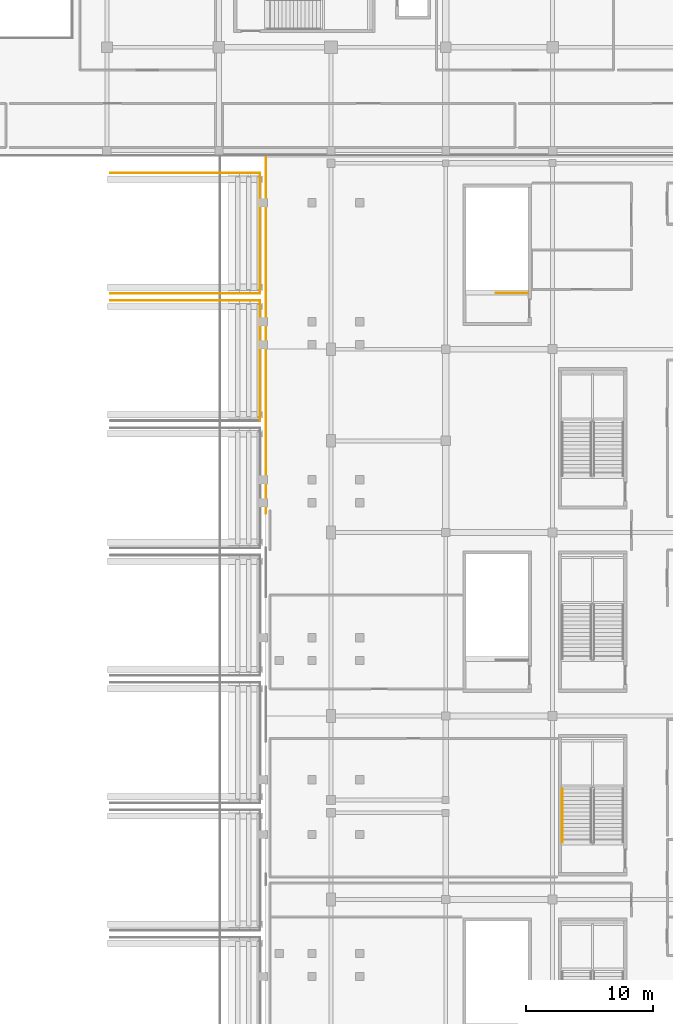
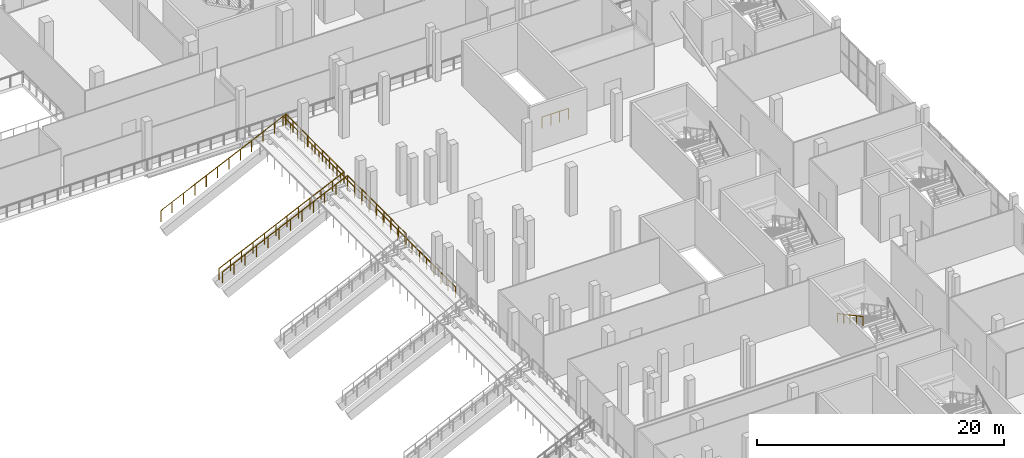
# One storey, part 120 of 129: 9 railings.
"""IFC4 building model written with IfcOpenShell, lengths in metres."""

from ifc_helpers import new_model, si_unit, direction, frame, origin, origin_2d, place, context, subcontext, project, spatial, circle, extrude, material, type_object, element, save


model = new_model("IFC4")

# Units and contexts
model_context = context("Model", 3, precision=1e-05, world=origin(), true_north=direction((0.0, 1.0)))
body_context = subcontext(model_context, "Body", "Model", "MODEL_VIEW")
ifc_project = project(units=[si_unit("LENGTHUNIT", "METRE"), si_unit("AREAUNIT", "SQUARE_METRE"), si_unit("VOLUMEUNIT", "CUBIC_METRE"), si_unit("PLANEANGLEUNIT", "RADIAN"), si_unit("MASSUNIT", "GRAM", prefix="KILO")], contexts=[model_context])

# Site, building, storey
site_placement = place(None, origin())
site = spatial("IfcSite", under=ifc_project, at=site_placement, CompositionType="ELEMENT")
building_placement = place(site_placement, origin())
building = spatial("IfcBuilding", under=site, at=building_placement, Name="Koshinbarg Plaza Stadium", CompositionType="ELEMENT")
storey_placement = place(building_placement, frame((0.0, 0.0, 5.39990234375)))
storey = spatial("IfcBuildingStorey", under=building, at=storey_placement, Name="L01", CompositionType="ELEMENT", Elevation=5.39990234375)

# Railings
ifc_material_1 = material(Name="Toughened laminated glass and stainless steel sightline balustrade", Category="steel")
railing_type_1 = type_object("IfcRailingType", Name="RL-BOWL-1100", PredefinedType="BALUSTRADE", material=ifc_material_1)
railing_1_placement = place(storey_placement, frame((175.280029296875, 99.01611328125, 0.0)))
element("IfcRailing", 1, at=railing_1_placement, inside=storey, type_object=railing_type_1, Name="L01 deck edge safety balustrade 0026", PredefinedType="BALUSTRADE", context=body_context, shape_type="SweptSolid", body=[
    extrude(circle(Radius=0.02392578125, at=origin_2d()), frame((0.0, 0.0, 1.076171875), z_axis=(0.0, 1.0, 0.0), x_axis=(-1.0, 0.0, 0.0)), (0.0, 0.0, 1.0), 12.8837890625),
    extrude(circle(Radius=0.02099609375, at=origin_2d()), origin(), (0.0, 0.0, 1.0), 1.052001953125),
    extrude(circle(Radius=0.02099609375, at=origin_2d()), frame((0.0, 1.171142578125, 0.0)), (0.0, 0.0, 1.0), 1.052001953125),
    extrude(circle(Radius=0.02099609375, at=origin_2d()), frame((0.0, 2.342529296875, 0.0)), (0.0, 0.0, 1.0), 1.052001953125),
    extrude(circle(Radius=0.02099609375, at=origin_2d()), frame((0.0, 3.513671875, 0.0)), (0.0, 0.0, 1.0), 1.052001953125),
    extrude(circle(Radius=0.02099609375, at=origin_2d()), frame((0.0, 4.68505859375, 0.0)), (0.0, 0.0, 1.0), 1.052001953125),
    extrude(circle(Radius=0.02099609375, at=origin_2d()), frame((0.0, 5.856201171875, 0.0)), (0.0, 0.0, 1.0), 1.052001953125),
    extrude(circle(Radius=0.02099609375, at=origin_2d()), frame((0.0, 7.027587890625, 0.0)), (0.0, 0.0, 1.0), 1.052001953125),
    extrude(circle(Radius=0.02099609375, at=origin_2d()), frame((0.0, 8.19873046875, 0.0)), (0.0, 0.0, 1.0), 1.052001953125),
    extrude(circle(Radius=0.02099609375, at=origin_2d()), frame((0.0, 9.3701171875, 0.0)), (0.0, 0.0, 1.0), 1.052001953125),
    extrude(circle(Radius=0.02099609375, at=origin_2d()), frame((0.0, 10.541259765625, 0.0)), (0.0, 0.0, 1.0), 1.052001953125),
    extrude(circle(Radius=0.02099609375, at=origin_2d()), frame((0.0, 11.712646484375, 0.0)), (0.0, 0.0, 1.0), 1.052001953125),
    extrude(circle(Radius=0.02099609375, at=origin_2d()), frame((0.0, 12.8837890625, 0.0)), (0.0, 0.0, 1.0), 1.052001953125),
])
railing_2_placement = place(storey_placement, frame((175.280029296875, 111.89990234375, 0.0)))
element("IfcRailing", 2, at=railing_2_placement, inside=storey, type_object=railing_type_1, Name="L01 deck edge safety balustrade 0031", PredefinedType="BALUSTRADE", context=body_context, shape_type="SweptSolid", body=[
    extrude(circle(Radius=0.02392578125, at=origin_2d()), frame((0.0, 0.0, 1.076171875), z_axis=(0.0, 1.0, 0.0), x_axis=(-1.0, 0.0, 0.0)), (0.0, 0.0, 1.0), 15.05517578125),
    extrude(circle(Radius=0.02099609375, at=origin_2d()), origin(), (0.0, 0.0, 1.0), 1.052001953125),
    extrude(circle(Radius=0.02099609375, at=origin_2d()), frame((0.0, 1.158203125, 0.0)), (0.0, 0.0, 1.0), 1.052001953125),
    extrude(circle(Radius=0.02099609375, at=origin_2d()), frame((0.0, 2.316162109375, 0.0)), (0.0, 0.0, 1.0), 1.052001953125),
    extrude(circle(Radius=0.02099609375, at=origin_2d()), frame((0.0, 3.474365234375, 0.0)), (0.0, 0.0, 1.0), 1.052001953125),
    extrude(circle(Radius=0.02099609375, at=origin_2d()), frame((0.0, 4.63232421875, 0.0)), (0.0, 0.0, 1.0), 1.052001953125),
    extrude(circle(Radius=0.02099609375, at=origin_2d()), frame((0.0, 5.79052734375, 0.0)), (0.0, 0.0, 1.0), 1.052001953125),
    extrude(circle(Radius=0.02099609375, at=origin_2d()), frame((0.0, 6.948486328125, 0.0)), (0.0, 0.0, 1.0), 1.052001953125),
    extrude(circle(Radius=0.02099609375, at=origin_2d()), frame((0.0, 8.106689453125, 0.0)), (0.0, 0.0, 1.0), 1.052001953125),
    extrude(circle(Radius=0.02099609375, at=origin_2d()), frame((0.0, 9.2646484375, 0.0)), (0.0, 0.0, 1.0), 1.052001953125),
    extrude(circle(Radius=0.02099609375, at=origin_2d()), frame((0.0, 10.4228515625, 0.0)), (0.0, 0.0, 1.0), 1.052001953125),
    extrude(circle(Radius=0.02099609375, at=origin_2d()), frame((0.0, 11.580810546875, 0.0)), (0.0, 0.0, 1.0), 1.052001953125),
    extrude(circle(Radius=0.02099609375, at=origin_2d()), frame((0.0, 12.739013671875, 0.0)), (0.0, 0.0, 1.0), 1.052001953125),
    extrude(circle(Radius=0.02099609375, at=origin_2d()), frame((0.0, 13.89697265625, 0.0)), (0.0, 0.0, 1.0), 1.052001953125),
    extrude(circle(Radius=0.02099609375, at=origin_2d()), frame((0.0, 15.05517578125, 0.0)), (0.0, 0.0, 1.0), 1.052001953125),
])
ifc_material_2 = material(Name="Galvanized painted steel guardrail", Category="steel")
railing_type_2 = type_object("IfcRailingType", Name="RL-GUARD-1100", PredefinedType="GUARDRAIL", material=ifc_material_2)
railing_3_placement = place(storey_placement, frame((174.820068359375, 106.280029296875, 1.080078125)))
element("IfcRailing", 3, at=railing_3_placement, inside=storey, type_object=railing_type_2, Name="LT-E09 rear stand guard", PredefinedType="GUARDRAIL", context=body_context, shape_type="SweptSolid", body=[
    extrude(circle(Radius=0.02392578125, at=origin_2d()), frame((0.0, 0.0, 1.076171875), z_axis=(0.0, 1.0, 0.0), x_axis=(-1.0, 0.0, 0.0)), (0.0, 0.0, 1.0), 9.43994140625),
    extrude(circle(Radius=0.02099609375, at=origin_2d()), origin(), (0.0, 0.0, 1.0), 1.052001953125),
    extrude(circle(Radius=0.02099609375, at=origin_2d()), frame((0.0, 1.179931640625, 0.0)), (0.0, 0.0, 1.0), 1.052001953125),
    extrude(circle(Radius=0.02099609375, at=origin_2d()), frame((0.0, 2.35986328125, 0.0)), (0.0, 0.0, 1.0), 1.052001953125),
    extrude(circle(Radius=0.02099609375, at=origin_2d()), frame((0.0, 3.5400390625, 0.0)), (0.0, 0.0, 1.0), 1.052001953125),
    extrude(circle(Radius=0.02099609375, at=origin_2d()), frame((0.0, 4.719970703125, 0.0)), (0.0, 0.0, 1.0), 1.052001953125),
    extrude(circle(Radius=0.02099609375, at=origin_2d()), frame((0.0, 5.89990234375, 0.0)), (0.0, 0.0, 1.0), 1.052001953125),
    extrude(circle(Radius=0.02099609375, at=origin_2d()), frame((0.0, 7.080078125, 0.0)), (0.0, 0.0, 1.0), 1.052001953125),
    extrude(circle(Radius=0.02099609375, at=origin_2d()), frame((0.0, 8.260009765625, 0.0)), (0.0, 0.0, 1.0), 1.052001953125),
    extrude(circle(Radius=0.02099609375, at=origin_2d()), frame((0.0, 9.43994140625, 0.0)), (0.0, 0.0, 1.0), 1.052001953125),
])
railing_4_placement = place(storey_placement, frame((163.10009765625, 115.719970703125, -4.3798828125)))
element("IfcRailing", 4, at=railing_4_placement, inside=storey, type_object=railing_type_2, Name="LT-E09 stepped aisle guard R", PredefinedType="GUARDRAIL", context=body_context, shape_type="SweptSolid", body=[
    extrude(circle(Radius=0.02392578125, at=origin_2d()), frame((0.0, 0.0, 1.076171875), z_axis=(0.906183623075, 0.0, 0.422884430158), x_axis=(0.0, 1.0, 0.0)), (0.0, 0.0, 1.0), 12.9111328125),
    extrude(circle(Radius=0.02099609375, at=origin_2d()), origin(), (0.0, 0.0, 1.0), 1.052001953125),
    extrude(circle(Radius=0.02099609375, at=origin_2d()), frame((1.063720703125, 0.0, 0.496337890625)), (0.0, 0.0, 1.0), 1.052001953125),
    extrude(circle(Radius=0.02099609375, at=origin_2d()), frame((2.127197265625, 0.0, 0.99267578125)), (0.0, 0.0, 1.0), 1.052001953125),
    extrude(circle(Radius=0.02099609375, at=origin_2d()), frame((3.19091796875, 0.0, 1.489013671875)), (0.0, 0.0, 1.0), 1.052001953125),
    extrude(circle(Radius=0.02099609375, at=origin_2d()), frame((4.254638671875, 0.0, 1.9853515625)), (0.0, 0.0, 1.0), 1.052001953125),
    extrude(circle(Radius=0.02099609375, at=origin_2d()), frame((5.318115234375, 0.0, 2.481689453125)), (0.0, 0.0, 1.0), 1.052001953125),
    extrude(circle(Radius=0.02099609375, at=origin_2d()), frame((6.3818359375, 0.0, 2.978271484375)), (0.0, 0.0, 1.0), 1.052001953125),
    extrude(circle(Radius=0.02099609375, at=origin_2d()), frame((7.4453125, 0.0, 3.474609375)), (0.0, 0.0, 1.0), 1.052001953125),
    extrude(circle(Radius=0.02099609375, at=origin_2d()), frame((8.509033203125, 0.0, 3.970947265625)), (0.0, 0.0, 1.0), 1.052001953125),
    extrude(circle(Radius=0.02099609375, at=origin_2d()), frame((9.57275390625, 0.0, 4.46728515625)), (0.0, 0.0, 1.0), 1.052001953125),
    extrude(circle(Radius=0.02099609375, at=origin_2d()), frame((10.63623046875, 0.0, 4.963623046875)), (0.0, 0.0, 1.0), 1.052001953125),
    extrude(circle(Radius=0.02099609375, at=origin_2d()), frame((11.699951171875, 0.0, 5.4599609375)), (0.0, 0.0, 1.0), 1.052001953125),
])
railing_5_placement = place(storey_placement, frame((174.820068359375, 116.280029296875, 1.080078125)))
element("IfcRailing", 5, at=railing_5_placement, inside=storey, type_object=railing_type_2, Name="LT-E10 rear stand guard", PredefinedType="GUARDRAIL", context=body_context, shape_type="SweptSolid", body=[
    extrude(circle(Radius=0.02392578125, at=origin_2d()), frame((0.0, 0.0, 1.076171875), z_axis=(0.0, 1.0, 0.0), x_axis=(-1.0, 0.0, 0.0)), (0.0, 0.0, 1.0), 9.43994140625),
    extrude(circle(Radius=0.02099609375, at=origin_2d()), origin(), (0.0, 0.0, 1.0), 1.052001953125),
    extrude(circle(Radius=0.02099609375, at=origin_2d()), frame((0.0, 1.179931640625, 0.0)), (0.0, 0.0, 1.0), 1.052001953125),
    extrude(circle(Radius=0.02099609375, at=origin_2d()), frame((0.0, 2.35986328125, 0.0)), (0.0, 0.0, 1.0), 1.052001953125),
    extrude(circle(Radius=0.02099609375, at=origin_2d()), frame((0.0, 3.5400390625, 0.0)), (0.0, 0.0, 1.0), 1.052001953125),
    extrude(circle(Radius=0.02099609375, at=origin_2d()), frame((0.0, 4.719970703125, 0.0)), (0.0, 0.0, 1.0), 1.052001953125),
    extrude(circle(Radius=0.02099609375, at=origin_2d()), frame((0.0, 5.89990234375, 0.0)), (0.0, 0.0, 1.0), 1.052001953125),
    extrude(circle(Radius=0.02099609375, at=origin_2d()), frame((0.0, 7.080078125, 0.0)), (0.0, 0.0, 1.0), 1.052001953125),
    extrude(circle(Radius=0.02099609375, at=origin_2d()), frame((0.0, 8.260009765625, 0.0)), (0.0, 0.0, 1.0), 1.052001953125),
    extrude(circle(Radius=0.02099609375, at=origin_2d()), frame((0.0, 9.43994140625, 0.0)), (0.0, 0.0, 1.0), 1.052001953125),
])
railing_6_placement = place(storey_placement, frame((163.10009765625, 116.280029296875, -4.3798828125)))
element("IfcRailing", 6, at=railing_6_placement, inside=storey, type_object=railing_type_2, Name="LT-E10 stepped aisle guard L", PredefinedType="GUARDRAIL", context=body_context, shape_type="SweptSolid", body=[
    extrude(circle(Radius=0.02392578125, at=origin_2d()), frame((0.0, 0.0, 1.076171875), z_axis=(0.906183623075, 0.0, 0.422884430158), x_axis=(0.0, 1.0, 0.0)), (0.0, 0.0, 1.0), 12.9111328125),
    extrude(circle(Radius=0.02099609375, at=origin_2d()), origin(), (0.0, 0.0, 1.0), 1.052001953125),
    extrude(circle(Radius=0.02099609375, at=origin_2d()), frame((1.063720703125, 0.0, 0.496337890625)), (0.0, 0.0, 1.0), 1.052001953125),
    extrude(circle(Radius=0.02099609375, at=origin_2d()), frame((2.127197265625, 0.0, 0.99267578125)), (0.0, 0.0, 1.0), 1.052001953125),
    extrude(circle(Radius=0.02099609375, at=origin_2d()), frame((3.19091796875, 0.0, 1.489013671875)), (0.0, 0.0, 1.0), 1.052001953125),
    extrude(circle(Radius=0.02099609375, at=origin_2d()), frame((4.254638671875, 0.0, 1.9853515625)), (0.0, 0.0, 1.0), 1.052001953125),
    extrude(circle(Radius=0.02099609375, at=origin_2d()), frame((5.318115234375, 0.0, 2.481689453125)), (0.0, 0.0, 1.0), 1.052001953125),
    extrude(circle(Radius=0.02099609375, at=origin_2d()), frame((6.3818359375, 0.0, 2.978271484375)), (0.0, 0.0, 1.0), 1.052001953125),
    extrude(circle(Radius=0.02099609375, at=origin_2d()), frame((7.4453125, 0.0, 3.474609375)), (0.0, 0.0, 1.0), 1.052001953125),
    extrude(circle(Radius=0.02099609375, at=origin_2d()), frame((8.509033203125, 0.0, 3.970947265625)), (0.0, 0.0, 1.0), 1.052001953125),
    extrude(circle(Radius=0.02099609375, at=origin_2d()), frame((9.57275390625, 0.0, 4.46728515625)), (0.0, 0.0, 1.0), 1.052001953125),
    extrude(circle(Radius=0.02099609375, at=origin_2d()), frame((10.63623046875, 0.0, 4.963623046875)), (0.0, 0.0, 1.0), 1.052001953125),
    extrude(circle(Radius=0.02099609375, at=origin_2d()), frame((11.699951171875, 0.0, 5.4599609375)), (0.0, 0.0, 1.0), 1.052001953125),
])
railing_7_placement = place(storey_placement, frame((163.10009765625, 125.719970703125, -4.3798828125)))
element("IfcRailing", 7, at=railing_7_placement, inside=storey, type_object=railing_type_2, Name="LT-E10 stepped aisle guard R", PredefinedType="GUARDRAIL", context=body_context, shape_type="SweptSolid", body=[
    extrude(circle(Radius=0.02392578125, at=origin_2d()), frame((0.0, 0.0, 1.076171875), z_axis=(0.906183623075, 0.0, 0.422884430158), x_axis=(0.0, 1.0, 0.0)), (0.0, 0.0, 1.0), 12.9111328125),
    extrude(circle(Radius=0.02099609375, at=origin_2d()), origin(), (0.0, 0.0, 1.0), 1.052001953125),
    extrude(circle(Radius=0.02099609375, at=origin_2d()), frame((1.063720703125, 0.0, 0.496337890625)), (0.0, 0.0, 1.0), 1.052001953125),
    extrude(circle(Radius=0.02099609375, at=origin_2d()), frame((2.127197265625, 0.0, 0.99267578125)), (0.0, 0.0, 1.0), 1.052001953125),
    extrude(circle(Radius=0.02099609375, at=origin_2d()), frame((3.19091796875, 0.0, 1.489013671875)), (0.0, 0.0, 1.0), 1.052001953125),
    extrude(circle(Radius=0.02099609375, at=origin_2d()), frame((4.254638671875, 0.0, 1.9853515625)), (0.0, 0.0, 1.0), 1.052001953125),
    extrude(circle(Radius=0.02099609375, at=origin_2d()), frame((5.318115234375, 0.0, 2.481689453125)), (0.0, 0.0, 1.0), 1.052001953125),
    extrude(circle(Radius=0.02099609375, at=origin_2d()), frame((6.3818359375, 0.0, 2.978271484375)), (0.0, 0.0, 1.0), 1.052001953125),
    extrude(circle(Radius=0.02099609375, at=origin_2d()), frame((7.4453125, 0.0, 3.474609375)), (0.0, 0.0, 1.0), 1.052001953125),
    extrude(circle(Radius=0.02099609375, at=origin_2d()), frame((8.509033203125, 0.0, 3.970947265625)), (0.0, 0.0, 1.0), 1.052001953125),
    extrude(circle(Radius=0.02099609375, at=origin_2d()), frame((9.57275390625, 0.0, 4.46728515625)), (0.0, 0.0, 1.0), 1.052001953125),
    extrude(circle(Radius=0.02099609375, at=origin_2d()), frame((10.63623046875, 0.0, 4.963623046875)), (0.0, 0.0, 1.0), 1.052001953125),
    extrude(circle(Radius=0.02099609375, at=origin_2d()), frame((11.699951171875, 0.0, 5.4599609375)), (0.0, 0.0, 1.0), 1.052001953125),
])
railing_8_placement = place(storey_placement, frame((195.8701171875, 116.31005859375, 0.0)))
element("IfcRailing", 8, at=railing_8_placement, inside=storey, type_object=railing_type_2, Name="L01 VL08 top stairwell guard 1", PredefinedType="GUARDRAIL", context=body_context, shape_type="SweptSolid", body=[
    extrude(circle(Radius=0.02392578125, at=origin_2d()), frame((0.0, 0.0, 1.076171875), z_axis=(-1.0, 0.0, 0.0), x_axis=(0.0, -1.0, 0.0)), (0.0, 0.0, 1.0), 2.510009765625),
    extrude(circle(Radius=0.02099609375, at=origin_2d()), origin(), (0.0, 0.0, 1.0), 1.052001953125),
    extrude(circle(Radius=0.02099609375, at=origin_2d()), frame((-0.836669921875, 0.0, 0.0)), (0.0, 0.0, 1.0), 1.052001953125),
    extrude(circle(Radius=0.02099609375, at=origin_2d()), frame((-1.67333984375, 0.0, 0.0)), (0.0, 0.0, 1.0), 1.052001953125),
    extrude(circle(Radius=0.02099609375, at=origin_2d()), frame((-2.510009765625, 0.0, 0.0)), (0.0, 0.0, 1.0), 1.052001953125),
])
ifc_material_3 = material(Name="Brushed stainless steel handrail", Category="steel")
railing_type_3 = type_object("IfcRailingType", Name="RL-HAND-900", PredefinedType="HANDRAIL", material=ifc_material_3)
railing_9_placement = place(storey_placement, frame((198.550048828125, 77.360107421875, 2.56005859375)))
element("IfcRailing", 9, at=railing_9_placement, inside=storey, type_object=railing_type_3, Name="L01 VX10 stair handrail 2", PredefinedType="HANDRAIL", context=body_context, shape_type="SweptSolid", body=[
    extrude(circle(Radius=0.02392578125, at=origin_2d()), frame((0.0, 0.0, 0.8759765625), z_axis=(0.0, -0.882362879185, 0.470569601054), x_axis=(1.0, 0.0, 0.0)), (0.0, 0.0, 1.0), 4.76025390625),
    extrude(circle(Radius=0.02099609375, at=origin_2d()), origin(), (0.0, 0.0, 1.0), 0.851806640625),
    extrude(circle(Radius=0.02099609375, at=origin_2d()), frame((0.0, -1.050048828125, 0.56005859375)), (0.0, 0.0, 1.0), 0.851806640625),
    extrude(circle(Radius=0.02099609375, at=origin_2d()), frame((0.0, -2.10009765625, 1.1201171875)), (0.0, 0.0, 1.0), 0.851806640625),
    extrude(circle(Radius=0.02099609375, at=origin_2d()), frame((0.0, -3.150146484375, 1.679931640625)), (0.0, 0.0, 1.0), 0.851806640625),
    extrude(circle(Radius=0.02099609375, at=origin_2d()), frame((0.0, -4.2001953125, 2.239990234375)), (0.0, 0.0, 1.0), 0.851806640625),
])

save(model, "model.ifc")
